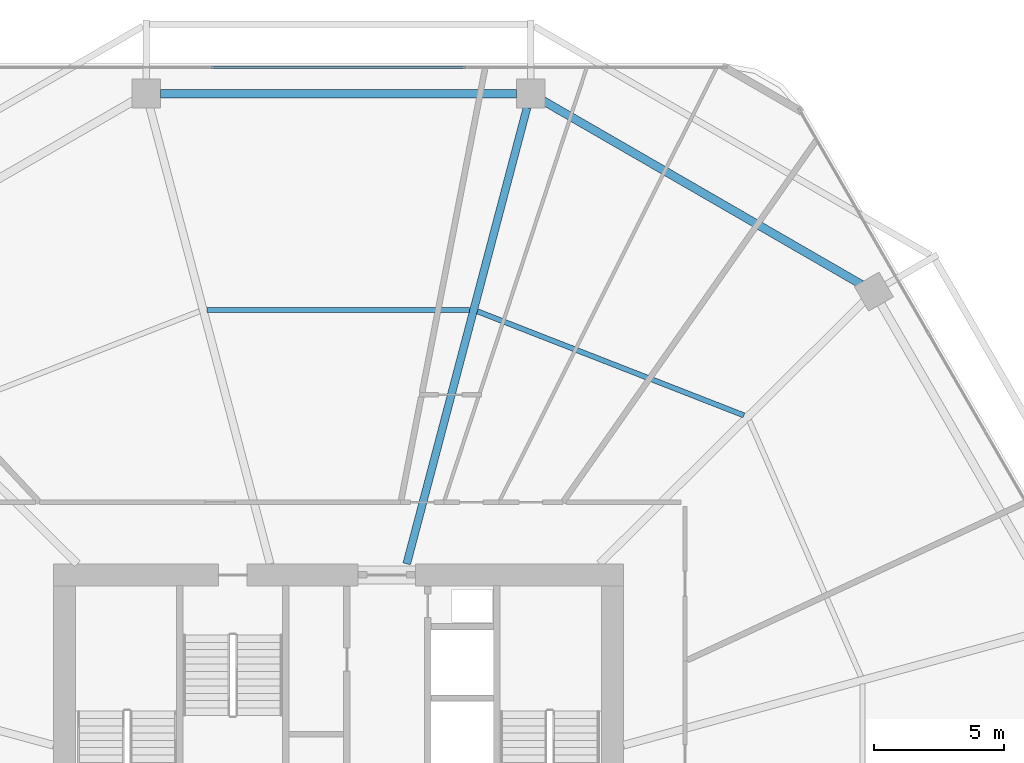
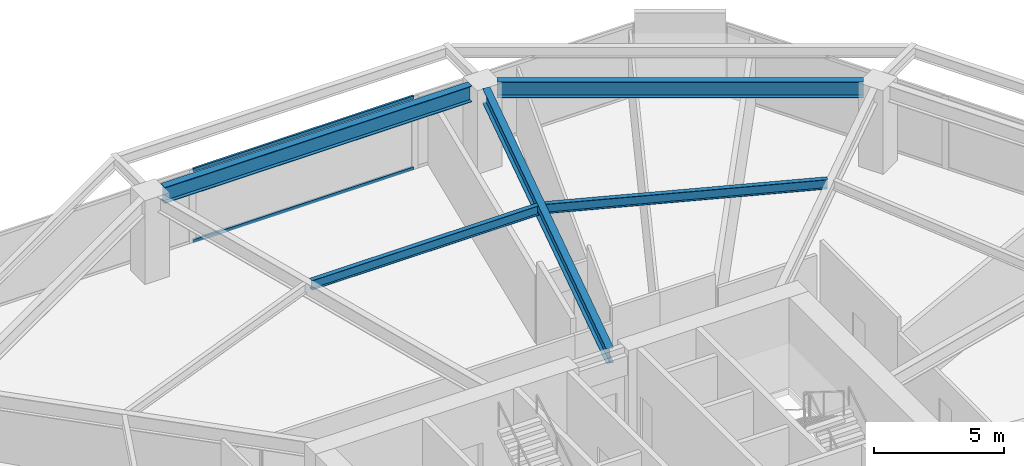
# One storey, part 20 of 28: 5 beams, 2 members, 1 element without a shape of its own.
"""IFC4 building model written with IfcOpenShell, lengths in metres."""

import ifcopenshell
import ifcopenshell.guid

model = None  # the IFC model being written
_history = None  # IfcOwnerHistory: only IFC2X3 demands one
_inside = {}  # id of a spatial element -> (the spatial element, [elements in it])
_under = {}  # id of a project, library or spatial element -> (it, [spatial elements below it])
_declared = {}  # id of a project -> (the project, [libraries it declares])
_typed = {}  # id of a type object -> (the type object, [elements of that type])
_made_of = {}  # id of a material, layer set ... -> (it, [elements and type objects made of it])


def new_model(schema):
    """Start an empty IFC model of exactly this schema.

    Asked for "IFC4X3", IfcOpenShell would pick the latest addendum, in which some entities
    have other attributes; the version numbers below select the first issue.
    IFC2X3 requires an IfcOwnerHistory on every rooted entity: one is made here for all.
    """
    global model, _history
    if schema == "IFC4X3":
        model = ifcopenshell.file(schema_version=(4, 3, 0, 0))
    else:
        model = ifcopenshell.file(schema=schema)
    _inside.clear()
    _under.clear()
    _declared.clear()
    _typed.clear()
    _made_of.clear()
    _history = None
    if model.schema == "IFC2X3":
        org = make("IfcOrganization", Name="unknown")
        user = make(
            "IfcPersonAndOrganization",
            ThePerson=make("IfcPerson", FamilyName="unknown"),
            TheOrganization=org,
        )
        app = make(
            "IfcApplication",
            ApplicationDeveloper=org,
            Version="unknown",
            ApplicationFullName="unknown",
            ApplicationIdentifier="unknown",
        )
        _history = make(
            "IfcOwnerHistory",
            OwningUser=user,
            OwningApplication=app,
            ChangeAction="ADDED",
            CreationDate=0,
        )
    return model


def make(cls, **values):
    """One entity of the class cls with the attributes given. An attribute that is None is left unset."""
    return model.create_entity(
        cls, **{name: value for name, value in values.items() if value is not None}
    )


def rooted(cls, **values):
    """An entity with a GlobalId (a new one), such as an element, a storey or a relation."""
    return make(cls, GlobalId=ifcopenshell.guid.new(), OwnerHistory=_history, **values)


def si_unit(unit_type, name, prefix=None):
    """IfcSIUnit, for example si_unit("LENGTHUNIT", "METRE", prefix="MILLI")."""
    return make("IfcSIUnit", UnitType=unit_type, Prefix=prefix, Name=name)


def assignment(units):
    """IfcUnitAssignment: the units of a project."""
    return None if units is None else make("IfcUnitAssignment", Units=units)


def point(xyz):
    """IfcCartesianPoint."""
    return None if xyz is None else make("IfcCartesianPoint", Coordinates=xyz)


def direction(xyz):
    """IfcDirection."""
    return None if xyz is None else make("IfcDirection", DirectionRatios=xyz)


def frame(location, z_axis=None, x_axis=None):
    """IfcAxis2Placement3D, a coordinate frame: its origin and axes. An axis left out is left unset."""
    return make(
        "IfcAxis2Placement3D",
        Location=point(location),
        Axis=direction(z_axis),
        RefDirection=direction(x_axis),
    )


def frame_2d(location, x_axis=None):
    """IfcAxis2Placement2D, a coordinate frame in the plane: its origin and x axis."""
    return make(
        "IfcAxis2Placement2D", Location=point(location), RefDirection=direction(x_axis)
    )


def origin():
    """The frame at (0, 0, 0) with its axes left unset."""
    return frame((0.0, 0.0, 0.0))


def origin_2d():
    """The frame at (0, 0) in the plane with its x axis left unset."""
    return frame_2d((0.0, 0.0))


def place(relative_to, where):
    """IfcLocalPlacement: puts the frame where relative to a parent placement (None: the world)."""
    return make(
        "IfcLocalPlacement", PlacementRelTo=relative_to, RelativePlacement=where
    )


def context(
    kind, dimensions, precision=None, world=None, true_north=None, identifier=None
):
    """IfcGeometricRepresentationContext, for example the 3D "Model" context."""
    return make(
        "IfcGeometricRepresentationContext",
        ContextIdentifier=identifier,
        ContextType=kind,
        CoordinateSpaceDimension=dimensions,
        Precision=precision,
        WorldCoordinateSystem=world,
        TrueNorth=true_north,
    )


def subcontext(parent, identifier, kind, view, scale=None):
    """IfcGeometricRepresentationSubContext, for example "Body" below "Model"."""
    return make(
        "IfcGeometricRepresentationSubContext",
        ContextIdentifier=identifier,
        ContextType=kind,
        ParentContext=parent,
        TargetScale=scale,
        TargetView=view,
    )


def project(units=None, contexts=None):
    """IfcProject with its units and contexts."""
    return rooted(
        "IfcProject",
        Name="project",
        RepresentationContexts=contexts,
        UnitsInContext=assignment(units),
    )


def spatial(cls, under=None, at=None, **own):
    """A site, building, storey or space (cls), placed at a placement, below another one or the project."""
    s = rooted(cls, ObjectPlacement=at, **own)
    if under is not None:
        _under.setdefault(under.id(), (under, []))[1].append(s)
    return s


def profile(cls, at=None, kind="AREA", **sizes):
    """A parametric profile (cls). Its sizes go by their IFC names, for example OverallWidth=200.0."""
    return make(cls, ProfileType=kind, Position=at, **sizes)


def hollow_rectangle(**sizes):
    """IfcRectangleHollowProfileDef."""
    return profile("IfcRectangleHollowProfileDef", **sizes)


def i_section(**sizes):
    """IfcIShapeProfileDef."""
    return profile("IfcIShapeProfileDef", **sizes)


def extrude(swept, where, along, depth):
    """IfcExtrudedAreaSolid: the profile swept, set in the frame where, extruded along a direction by depth."""
    return make(
        "IfcExtrudedAreaSolid",
        SweptArea=swept,
        Position=where,
        ExtrudedDirection=direction(along),
        Depth=depth,
    )


def shape(context_of_items, identifier, shape_type, items):
    """IfcShapeRepresentation: the items that make up one representation, for example the "Body"."""
    return make(
        "IfcShapeRepresentation",
        ContextOfItems=context_of_items,
        RepresentationIdentifier=identifier,
        RepresentationType=shape_type,
        Items=items,
    )


def material(Name=None, Category=None):
    """IfcMaterial."""
    return make("IfcMaterial", Name=Name, Category=Category)


def material_profile(
    of_material, cross_section, Name=None, Category=None, Priority=None
):
    """IfcMaterialProfile: a cross section and its material."""
    return make(
        "IfcMaterialProfile",
        Name=Name,
        Material=of_material,
        Profile=cross_section,
        Priority=Priority,
        Category=Category,
    )


def profile_set(profiles, Name=None, composite=None):
    """IfcMaterialProfileSet."""
    return make(
        "IfcMaterialProfileSet",
        Name=Name,
        MaterialProfiles=profiles,
        CompositeProfile=composite,
    )


def made_of(thing, what):
    """Note that an element or type object is made of a material, layer set ...; save() writes the relation."""
    if what is not None:
        _made_of.setdefault(what.id(), (what, []))[1].append(thing)
    return thing


def type_object(cls, material=None, **own):
    """A type object (cls), such as IfcWallType, which elements share."""
    return made_of(rooted(cls, **own), material)


def element(
    cls,
    number,
    at=None,
    inside=None,
    cuts=None,
    type_object=None,
    material=None,
    context=None,
    identifier="Body",
    shape_type=None,
    held_by="IfcProductDefinitionShape",
    body=None,
    shapes=None,
    **own,
):
    """One element of the class cls, such as IfcWall. Its Tag is "e" and its number.

    at: its placement. inside: the storey or other place that contains it. cuts: it is an
    opening in that element (IfcRelVoidsElement). A single representation is given by context,
    identifier, shape_type and body (its items); several are given by shapes. held_by: the class
    of the entity that holds the representations. save() writes the other relations.
    """
    e = rooted(cls, Tag="e%d" % number, ObjectPlacement=at, **own)
    if body is not None:
        shapes = [shape(context, identifier, shape_type, body)]
    if shapes is not None:
        e.Representation = make(held_by, Representations=shapes)
    if inside is not None:
        _inside.setdefault(inside.id(), (inside, []))[1].append(e)
    if cuts is not None:
        rooted(
            "IfcRelVoidsElement", RelatingBuildingElement=cuts, RelatedOpeningElement=e
        )
    if type_object is not None:
        _typed.setdefault(type_object.id(), (type_object, []))[1].append(e)
    return made_of(e, material)


def aggregate(whole, parts):
    """IfcRelAggregates: a whole, such as a stair, and the parts it consists of."""
    return rooted("IfcRelAggregates", RelatingObject=whole, RelatedObjects=parts)


def save(model, path):
    """Write the relations noted so far, then the file.

    IfcRelAggregates (storeys below a building ...), IfcRelContainedInSpatialStructure (elements
    in a storey), IfcRelDefinesByType, IfcRelAssociatesMaterial and IfcRelDeclares: one each for
    every whole, place, type object, material and project.
    """
    for whole, parts in _under.values():
        aggregate(whole, parts)
    for where, things in _inside.values():
        rooted(
            "IfcRelContainedInSpatialStructure",
            RelatedElements=things,
            RelatingStructure=where,
        )
    for kind, things in _typed.values():
        rooted("IfcRelDefinesByType", RelatedObjects=things, RelatingType=kind)
    for what, things in _made_of.values():
        rooted("IfcRelAssociatesMaterial", RelatedObjects=things, RelatingMaterial=what)
    for by, libraries in _declared.values():
        rooted("IfcRelDeclares", RelatingContext=by, RelatedDefinitions=libraries)
    model.write(path)


model = new_model("IFC4")

# Units and contexts
model_context = context("Model", 3, precision=1e-05, world=origin(), true_north=direction((0.0, 1.0)))
body_context = subcontext(model_context, "Body", "Model", "MODEL_VIEW")
ifc_project = project(units=[si_unit("LENGTHUNIT", "METRE"), si_unit("AREAUNIT", "SQUARE_METRE"), si_unit("VOLUMEUNIT", "CUBIC_METRE"), si_unit("PLANEANGLEUNIT", "RADIAN"), si_unit("MASSUNIT", "GRAM", prefix="KILO")], contexts=[model_context])

# Site, building, storey
site_placement = place(None, origin())
site = spatial("IfcSite", under=ifc_project, at=site_placement, CompositionType="ELEMENT")
building_placement = place(site_placement, origin())
building = spatial("IfcBuilding", under=site, at=building_placement, Name="Zuhravey Tower", CompositionType="ELEMENT")
storey_placement = place(building_placement, frame((0.0, 0.0, 79.199951171875)))
storey = spatial("IfcBuildingStorey", under=building, at=storey_placement, Name="L19", CompositionType="ELEMENT", Elevation=79.199951171875)

# Curtain wall, members
ifc_material_1 = material(Name="Thermally broken anodised aluminium", Category="aluminium")
curtain_wall_type = type_object("IfcCurtainWallType", Name="School Low-E Unitised Curtain Wall CW1", PredefinedType="NOTDEFINED", material=ifc_material_1)
curtain_wall_placement = place(storey_placement, origin())
curtain_wall = element("IfcCurtainWall", 1, at=curtain_wall_placement, inside=storey, type_object=curtain_wall_type, Name="L19 CW1 CW-L19-F2-1", PredefinedType="NOTDEFINED")
ifc_material_2 = material(Name="Anodised aluminium", Category="aluminium")
ifc_material_profile_1 = material_profile(ifc_material_2, hollow_rectangle(XDim=0.090087890625, YDim=0.14990234375, WallThickness=0.0048828125, at=origin_2d()), Name="ALU-RHS-90x150x5")
ifc_profile_set_1 = profile_set([ifc_material_profile_1], Name="Anodised aluminium")
member_type = type_object("IfcMemberType", Name="Curtain-Wall Transom 90x150", PredefinedType="USERDEFINED", material=ifc_profile_set_1)
member_1_placement = place(storey_placement, frame((31.11181640625, 60.95849609375, 0.045166015625), z_axis=(1.0, 0.0, 0.0), x_axis=(0.0, 1.0, 0.0)))
member_1 = element("IfcMember", 2, at=member_1_placement, type_object=member_type, Name="CW1 transom 2.1", ObjectType="TRANSOM", PredefinedType="USERDEFINED", context=body_context, shape_type="SweptSolid", body=[
    extrude(hollow_rectangle(XDim=0.090087890625, YDim=0.14990234375, WallThickness=0.0048828125, at=origin_2d()), origin(), (0.0, 0.0, 1.0), 9.7763671875),
])
member_2_placement = place(storey_placement, frame((31.11181640625, 60.95849609375, 3.375), z_axis=(1.0, 0.0, 0.0), x_axis=(0.0, 1.0, 0.0)))
member_2 = element("IfcMember", 3, at=member_2_placement, type_object=member_type, Name="CW1 transom 2.2", ObjectType="TRANSOM", PredefinedType="USERDEFINED", context=body_context, shape_type="SweptSolid", body=[
    extrude(hollow_rectangle(XDim=0.090087890625, YDim=0.14990234375, WallThickness=0.0048828125, at=origin_2d()), origin(), (0.0, 0.0, 1.0), 9.7763671875),
])
aggregate(curtain_wall, [member_1, member_2])

# Beams
ifc_material_3 = material(Name="Steel SM355", Category="steel")
ifc_material_profile_2 = material_profile(ifc_material_3, i_section(OverallWidth=0.320068359375, OverallDepth=0.75, WebThickness=0.013916015625, FlangeThickness=0.02490234375, at=origin_2d()), Name="H-750x320x14x25")
ifc_profile_set_2 = profile_set([ifc_material_profile_2], Name="Steel SM355")
beam_type_1 = type_object("IfcBeamType", Name="Perimeter Ring Beam H750x320", PredefinedType="BEAM", material=ifc_profile_set_2)
beam_1_placement = place(storey_placement, frame((56.0400390625, 52.63330078125, 3.545166015625), z_axis=(-0.866017786538, 0.500013193225, 0.0), x_axis=(-0.500013193225, -0.866017786538, 0.0)))
element("IfcBeam", 4, at=beam_1_placement, inside=storey, type_object=beam_type_1, Name="L19 PB1 BM-L19-PB-02", PredefinedType="BEAM", context=body_context, shape_type="SweptSolid", body=[
    extrude(i_section(OverallWidth=0.320068359375, OverallDepth=0.75, WebThickness=0.013916015625, FlangeThickness=0.02490234375, at=origin_2d()), origin(), (0.0, 0.0, 1.0), 14.0771484375),
])
beam_2_placement = place(storey_placement, frame((42.81689453125, 59.948486328125, 3.545166015625), z_axis=(-1.0, 0.0, 0.0), x_axis=(0.0, -1.0, 0.0)))
element("IfcBeam", 5, at=beam_2_placement, inside=storey, type_object=beam_type_1, Name="L19 PB1 BM-L19-PB-03", PredefinedType="BEAM", context=body_context, shape_type="SweptSolid", body=[
    extrude(i_section(OverallWidth=0.320068359375, OverallDepth=0.75, WebThickness=0.013916015625, FlangeThickness=0.02490234375, at=origin_2d()), origin(), (0.0, 0.0, 1.0), 13.6337890625),
])
ifc_material_profile_3 = material_profile(ifc_material_3, i_section(OverallWidth=0.300048828125, OverallDepth=0.699951171875, WebThickness=0.012939453125, FlangeThickness=0.02392578125, at=origin_2d()), Name="H-700x300x13x24")
ifc_profile_set_3 = profile_set([ifc_material_profile_3], Name="Steel SM355")
beam_type_2 = type_object("IfcBeamType", Name="Radial Primary Girder H700x300", PredefinedType="BEAM", material=ifc_profile_set_3)
beam_3_placement = place(storey_placement, frame((38.617919921875, 41.927978515625, 3.570068359375), z_axis=(0.254987019627, 0.96694447608, 0.0), x_axis=(-0.96694447608, 0.254987019627, 0.0)))
element("IfcBeam", 6, at=beam_3_placement, inside=storey, type_object=beam_type_2, Name="L19 RG1 BM-L19-RAD-03", PredefinedType="BEAM", context=body_context, shape_type="SweptSolid", body=[
    extrude(i_section(OverallWidth=0.300048828125, OverallDepth=0.699951171875, WebThickness=0.012939453125, FlangeThickness=0.02392578125, at=origin_2d()), origin(), (0.0, 0.0, 1.0), 18.08349609375),
])
ifc_material_profile_4 = material_profile(ifc_material_3, i_section(OverallWidth=0.199951171875, OverallDepth=0.449951171875, WebThickness=0.009033203125, FlangeThickness=0.013916015625, at=origin_2d()), Name="H-450x200x9x14")
ifc_profile_set_4 = profile_set([ifc_material_profile_4], Name="Steel SM355")
beam_type_3 = type_object("IfcBeamType", Name="Secondary Floor Joist H450x200", PredefinedType="JOIST", material=ifc_profile_set_4)
beam_4_placement = place(storey_placement, frame((51.5400390625, 47.61572265625, 3.695068359375), z_axis=(-0.931516535886, 0.363698973562, 0.0), x_axis=(-0.363698973562, -0.931516535886, 0.0)))
element("IfcBeam", 7, at=beam_4_placement, inside=storey, type_object=beam_type_3, Name="L19 SJ1 BM-L19-SJ-02-1", PredefinedType="JOIST", context=body_context, shape_type="SweptSolid", body=[
    extrude(i_section(OverallWidth=0.199951171875, OverallDepth=0.449951171875, WebThickness=0.009033203125, FlangeThickness=0.013916015625, at=origin_2d()), origin(), (0.0, 0.0, 1.0), 10.963134765625),
])
beam_5_placement = place(storey_placement, frame((41.030029296875, 51.6591796875, 3.695068359375), z_axis=(-1.0, 0.0, 0.0), x_axis=(0.0, -1.0, 0.0)))
element("IfcBeam", 8, at=beam_5_placement, inside=storey, type_object=beam_type_3, Name="L19 SJ1 BM-L19-SJ-03-1", PredefinedType="JOIST", context=body_context, shape_type="SweptSolid", body=[
    extrude(i_section(OverallWidth=0.199951171875, OverallDepth=0.449951171875, WebThickness=0.009033203125, FlangeThickness=0.013916015625, at=origin_2d()), origin(), (0.0, 0.0, 1.0), 10.06005859375),
])

save(model, "model.ifc")
